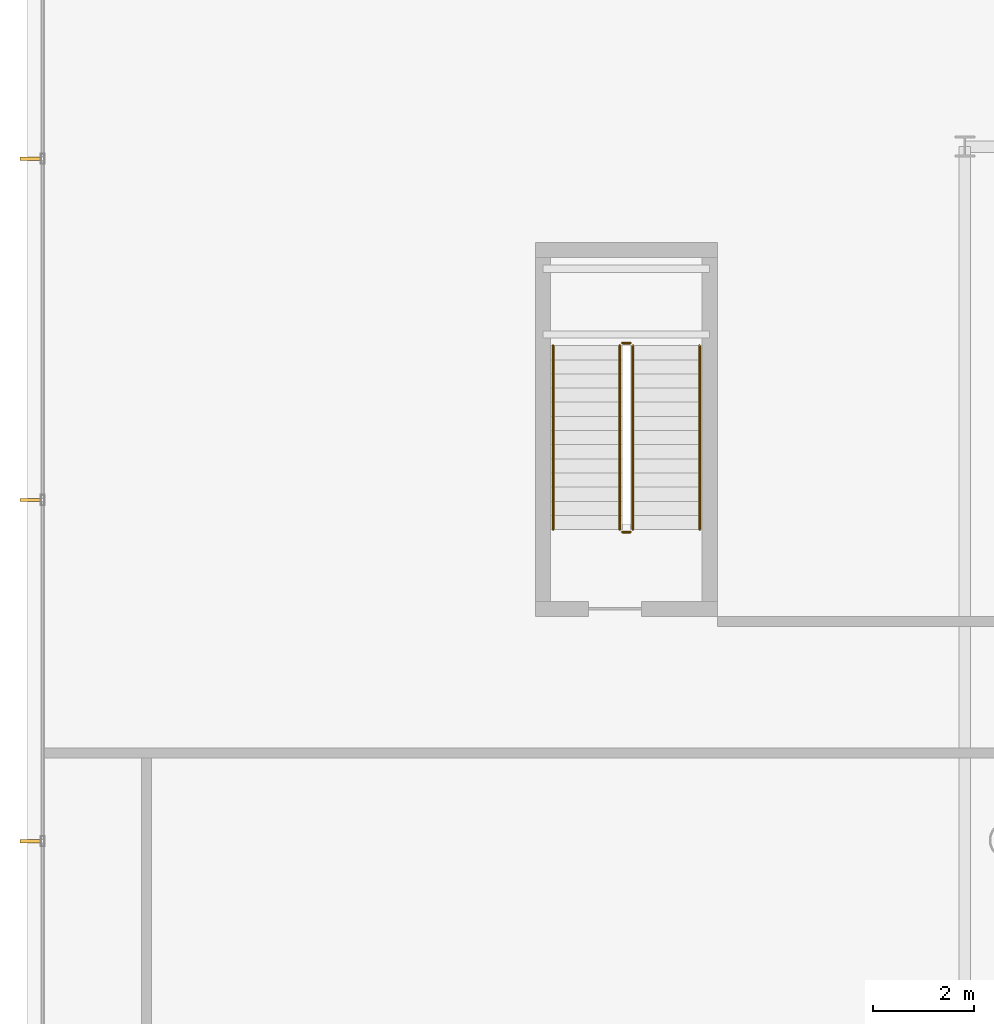
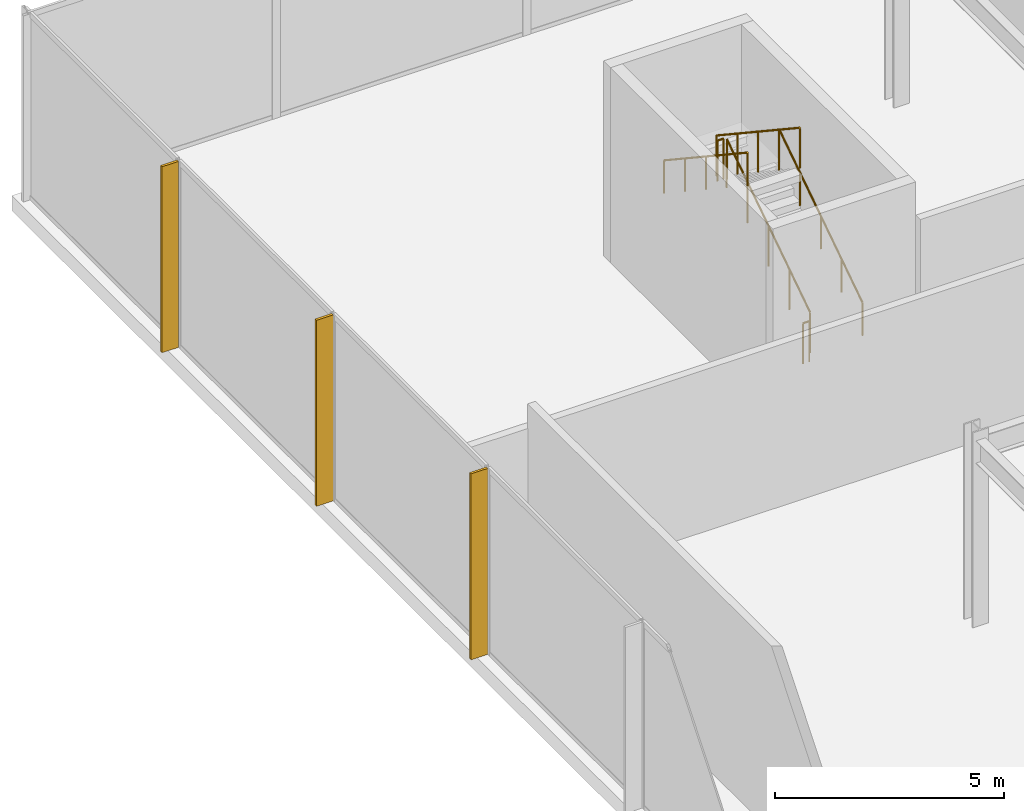
# One storey, part 41 of 43: 6 railings, 3 shading devices.
"""IFC4 building model written with IfcOpenShell, lengths in metres."""

from ifc_helpers import new_model, si_unit, direction, frame, origin, origin_2d, place, context, subcontext, project, spatial, rectangle, circle, extrude, material, layer, layer_set, type_object, element, save


model = new_model("IFC4")

# Units and contexts
model_context = context("Model", 3, precision=1e-05, world=origin(), true_north=direction((0.0, 1.0)))
body_context = subcontext(model_context, "Body", "Model", "MODEL_VIEW")
ifc_project = project(units=[si_unit("LENGTHUNIT", "METRE"), si_unit("AREAUNIT", "SQUARE_METRE"), si_unit("VOLUMEUNIT", "CUBIC_METRE"), si_unit("PLANEANGLEUNIT", "RADIAN"), si_unit("MASSUNIT", "GRAM", prefix="KILO")], contexts=[model_context])

# Site, building, storey
site_placement = place(None, origin())
site = spatial("IfcSite", under=ifc_project, at=site_placement, CompositionType="ELEMENT")
building_placement = place(site_placement, origin())
building = spatial("IfcBuilding", under=site, at=building_placement, Name="Orvanel Arch Residences", CompositionType="ELEMENT")
storey_placement = place(building_placement, frame((0.0, 0.0, 18.39990234375)))
storey = spatial("IfcBuildingStorey", under=building, at=storey_placement, Name="L04", CompositionType="ELEMENT", Elevation=18.39990234375)

# Shading devices
ifc_material_1 = material(Name="Bronze-anodised aluminium AA6063-T6", Category="aluminium")
ifc_layer = layer(ifc_material_1, 0.06494140625)
ifc_layer_set = layer_set([ifc_layer], Name="Bronze-anodised aluminium AA6063-T6")
shading_device_type = type_object("IfcShadingDeviceType", Name="FIN-BRZ-420", PredefinedType="USERDEFINED", material=ifc_layer_set)
for number, where, z_axis, x_axis, name in (
    (1, (1.31005859375, 47.758056640625, 0.0), (0.0, 0.0, 1.0), (-1.0, 0.0, 0.0), "L04 Anodised Bronze Mullion FIN 01"),
    (2, (1.31005859375, 41.0048828125, 0.0), (0.0, 0.0, 1.0), (-1.0, 0.0, 0.0), "L04 Anodised Bronze Mullion FIN 02"),
    (3, (1.31005859375, 34.251953125, 0.0), (0.0, 0.0, 1.0), (-1.0, 0.0, 0.0), "L04 Anodised Bronze Mullion FIN 03"),
):
    element("IfcShadingDevice", number, at=place(storey_placement, frame(where, z_axis=z_axis, x_axis=x_axis)), inside=storey, type_object=shading_device_type, Name=name, ObjectType="FIN", PredefinedType="USERDEFINED", context=body_context, shape_type="SweptSolid", body=[
        extrude(rectangle(XDim=0.419921875, YDim=0.06494140625, at=origin_2d()), origin(), (0.0, 0.0, 1.0), 4.9599609375),
    ])

# Railings
ifc_material_2 = material(Name="Structural steel AS/NZS 1163 C350L0 (Grade 350)", Category="steel")
railing_type_1 = type_object("IfcRailingType", Name="RL-STAIR-GUARD", PredefinedType="GUARDRAIL", material=ifc_material_2)
railing_1_placement = place(storey_placement, frame((13.22998046875, 40.419921875, 0.185791015625)))
element("IfcRailing", 4, at=railing_1_placement, inside=storey, type_object=railing_type_1, Name="L04 ST-3 stair guard 1", PredefinedType="GUARDRAIL", context=body_context, shape_type="SweptSolid", body=[
    extrude(circle(Radius=0.02392578125, at=origin_2d()), frame((0.0, 0.001220703125, 1.076904296875), z_axis=(0.0, 0.833363587613, 0.552725185641), x_axis=(-1.0, 0.0, 0.0)), (0.0, 0.0, 1.0), 4.364990234375),
    extrude(circle(Radius=0.02099609375, at=origin_2d()), origin(), (0.0, 0.0, 1.0), 1.050048828125),
    extrude(circle(Radius=0.02099609375, at=origin_2d()), frame((0.0, 0.91015625, 0.603515625)), (0.0, 0.0, 1.0), 1.050048828125),
    extrude(circle(Radius=0.02099609375, at=origin_2d()), frame((0.0, 1.820068359375, 1.20703125)), (0.0, 0.0, 1.0), 1.050048828125),
    extrude(circle(Radius=0.02099609375, at=origin_2d()), frame((0.0, 2.72998046875, 1.810791015625)), (0.0, 0.0, 1.0), 1.050048828125),
    extrude(circle(Radius=0.02099609375, at=origin_2d()), frame((0.0, 3.64013671875, 2.414306640625)), (0.0, 0.0, 1.0), 1.050048828125),
])
railing_2_placement = place(storey_placement, frame((13.179931640625, 44.110107421875, 2.60009765625)))
element("IfcRailing", 5, at=railing_2_placement, inside=storey, type_object=railing_type_1, Name="L04 ST-3 stair guard 2", PredefinedType="GUARDRAIL", context=body_context, shape_type="SweptSolid", body=[
    extrude(circle(Radius=0.02392578125, at=origin_2d()), frame((-0.00146484375, 0.0, 1.076171875), z_axis=(-1.0, 0.0, 0.0), x_axis=(0.0, -1.0, 0.0)), (0.0, 0.0, 1.0), 0.156982421875),
    extrude(circle(Radius=0.02099609375, at=origin_2d()), origin(), (0.0, 0.0, 1.0), 1.050048828125),
    extrude(circle(Radius=0.02099609375, at=origin_2d()), frame((-0.159912109375, 0.0, 0.0)), (0.0, 0.0, 1.0), 1.050048828125),
])
railing_3_placement = place(storey_placement, frame((12.969970703125, 44.06005859375, 2.785888671875)))
element("IfcRailing", 6, at=railing_3_placement, inside=storey, type_object=railing_type_1, Name="L04 ST-3 stair guard 3", PredefinedType="GUARDRAIL", context=body_context, shape_type="SweptSolid", body=[
    extrude(circle(Radius=0.02392578125, at=origin_2d()), frame((0.0, -0.001220703125, 1.076904296875), z_axis=(0.0, -0.833363587613, 0.552725185641), x_axis=(1.0, 0.0, 0.0)), (0.0, 0.0, 1.0), 4.364990234375),
    extrude(circle(Radius=0.02099609375, at=origin_2d()), origin(), (0.0, 0.0, 1.0), 1.050048828125),
    extrude(circle(Radius=0.02099609375, at=origin_2d()), frame((0.0, -0.91015625, 0.603515625)), (0.0, 0.0, 1.0), 1.050048828125),
    extrude(circle(Radius=0.02099609375, at=origin_2d()), frame((0.0, -1.820068359375, 1.20703125)), (0.0, 0.0, 1.0), 1.050048828125),
    extrude(circle(Radius=0.02099609375, at=origin_2d()), frame((0.0, -2.72998046875, 1.810791015625)), (0.0, 0.0, 1.0), 1.050048828125),
    extrude(circle(Radius=0.02099609375, at=origin_2d()), frame((0.0, -3.64013671875, 2.414306640625)), (0.0, 0.0, 1.0), 1.050048828125),
])
railing_4_placement = place(storey_placement, frame((13.179931640625, 40.3701171875, 0.0)))
element("IfcRailing", 7, at=railing_4_placement, inside=storey, type_object=railing_type_1, Name="L04 ST-3 stair guard 4", PredefinedType="GUARDRAIL", context=body_context, shape_type="SweptSolid", body=[
    extrude(circle(Radius=0.02392578125, at=origin_2d()), frame((-0.00146484375, 0.0, 1.076171875), z_axis=(-1.0, 0.0, 0.0), x_axis=(0.0, -1.0, 0.0)), (0.0, 0.0, 1.0), 0.156982421875),
    extrude(circle(Radius=0.02099609375, at=origin_2d()), origin(), (0.0, 0.0, 1.0), 1.050048828125),
    extrude(circle(Radius=0.02099609375, at=origin_2d()), frame((-0.159912109375, 0.0, 0.0)), (0.0, 0.0, 1.0), 1.050048828125),
])
railing_type_2 = type_object("IfcRailingType", Name="RL-STAIR-HAND", PredefinedType="HANDRAIL", material=ifc_material_2)
railing_5_placement = place(storey_placement, frame((14.550048828125, 40.419921875, 0.185791015625)))
element("IfcRailing", 8, at=railing_5_placement, inside=storey, type_object=railing_type_2, Name="L04 ST-3 stair handrail 1", PredefinedType="HANDRAIL", context=body_context, shape_type="SweptSolid", body=[
    extrude(circle(Radius=0.02392578125, at=origin_2d()), frame((0.0, 0.001220703125, 0.876708984375), z_axis=(0.0, 0.833363587613, 0.552725185641), x_axis=(-1.0, 0.0, 0.0)), (0.0, 0.0, 1.0), 4.364990234375),
    extrude(circle(Radius=0.02099609375, at=origin_2d()), origin(), (0.0, 0.0, 1.0), 0.849853515625),
    extrude(circle(Radius=0.02099609375, at=origin_2d()), frame((0.0, 0.91015625, 0.603515625)), (0.0, 0.0, 1.0), 0.849853515625),
    extrude(circle(Radius=0.02099609375, at=origin_2d()), frame((0.0, 1.820068359375, 1.20703125)), (0.0, 0.0, 1.0), 0.849853515625),
    extrude(circle(Radius=0.02099609375, at=origin_2d()), frame((0.0, 2.72998046875, 1.810791015625)), (0.0, 0.0, 1.0), 0.849853515625),
    extrude(circle(Radius=0.02099609375, at=origin_2d()), frame((0.0, 3.64013671875, 2.414306640625)), (0.0, 0.0, 1.0), 0.849853515625),
])
railing_6_placement = place(storey_placement, frame((11.64990234375, 44.06005859375, 2.785888671875)))
element("IfcRailing", 9, at=railing_6_placement, inside=storey, type_object=railing_type_2, Name="L04 ST-3 stair handrail 2", PredefinedType="HANDRAIL", context=body_context, shape_type="SweptSolid", body=[
    extrude(circle(Radius=0.02392578125, at=origin_2d()), frame((0.0, -0.001220703125, 0.876708984375), z_axis=(0.0, -0.833363587613, 0.552725185641), x_axis=(1.0, 0.0, 0.0)), (0.0, 0.0, 1.0), 4.364990234375),
    extrude(circle(Radius=0.02099609375, at=origin_2d()), origin(), (0.0, 0.0, 1.0), 0.849853515625),
    extrude(circle(Radius=0.02099609375, at=origin_2d()), frame((0.0, -0.91015625, 0.603515625)), (0.0, 0.0, 1.0), 0.849853515625),
    extrude(circle(Radius=0.02099609375, at=origin_2d()), frame((0.0, -1.820068359375, 1.20703125)), (0.0, 0.0, 1.0), 0.849853515625),
    extrude(circle(Radius=0.02099609375, at=origin_2d()), frame((0.0, -2.72998046875, 1.810791015625)), (0.0, 0.0, 1.0), 0.849853515625),
    extrude(circle(Radius=0.02099609375, at=origin_2d()), frame((0.0, -3.64013671875, 2.414306640625)), (0.0, 0.0, 1.0), 0.849853515625),
])

save(model, "model.ifc")
